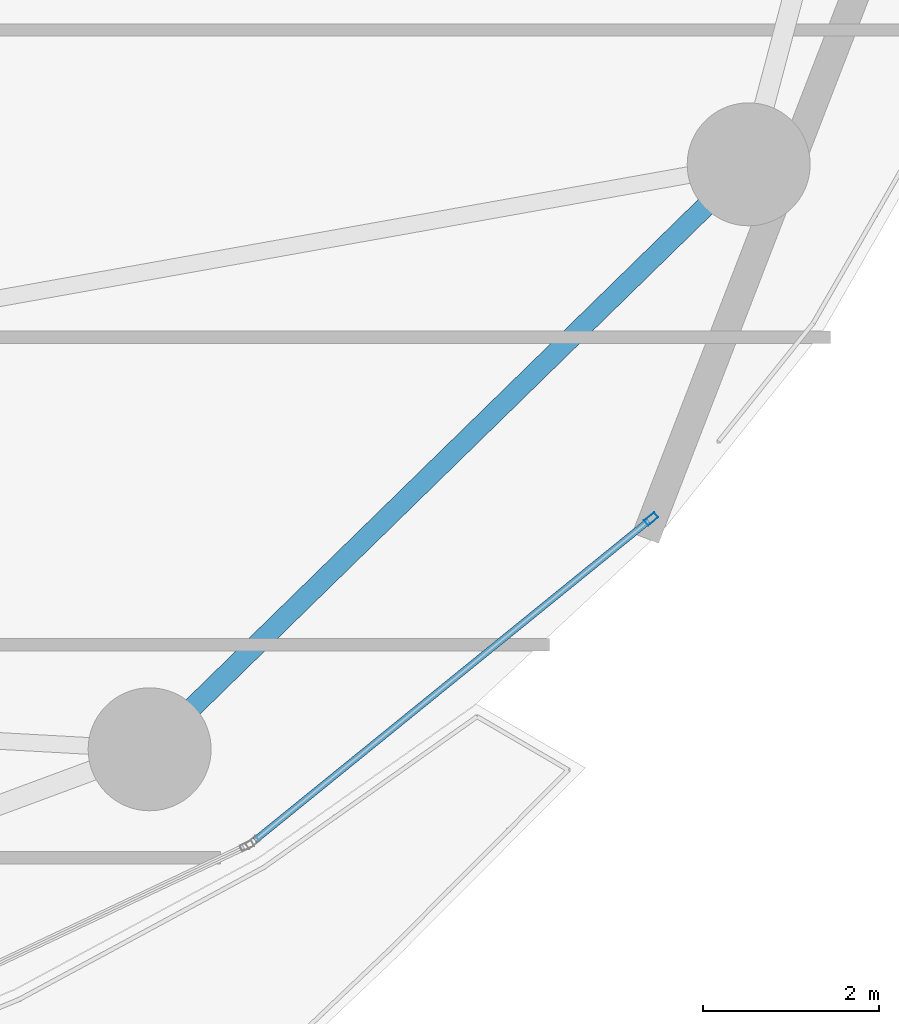
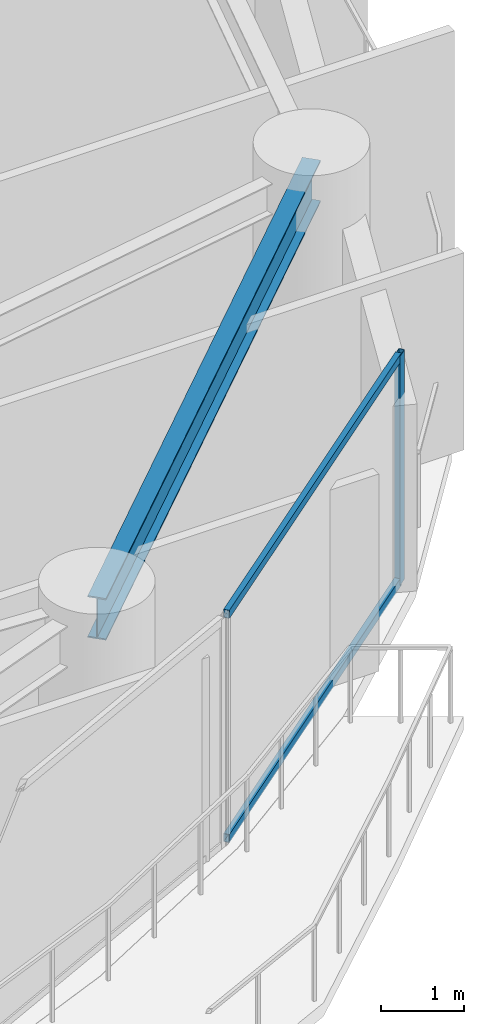
# One storey, part 15 of 31: 3 members, 1 beam, 1 element without a shape of its own.
"""IFC4 building model written with IfcOpenShell, lengths in metres."""

import ifcopenshell
import ifcopenshell.guid

model = None  # the IFC model being written
_history = None  # IfcOwnerHistory: only IFC2X3 demands one
_inside = {}  # id of a spatial element -> (the spatial element, [elements in it])
_under = {}  # id of a project, library or spatial element -> (it, [spatial elements below it])
_declared = {}  # id of a project -> (the project, [libraries it declares])
_typed = {}  # id of a type object -> (the type object, [elements of that type])
_made_of = {}  # id of a material, layer set ... -> (it, [elements and type objects made of it])


def new_model(schema):
    """Start an empty IFC model of exactly this schema.

    Asked for "IFC4X3", IfcOpenShell would pick the latest addendum, in which some entities
    have other attributes; the version numbers below select the first issue.
    IFC2X3 requires an IfcOwnerHistory on every rooted entity: one is made here for all.
    """
    global model, _history
    if schema == "IFC4X3":
        model = ifcopenshell.file(schema_version=(4, 3, 0, 0))
    else:
        model = ifcopenshell.file(schema=schema)
    _inside.clear()
    _under.clear()
    _declared.clear()
    _typed.clear()
    _made_of.clear()
    _history = None
    if model.schema == "IFC2X3":
        org = make("IfcOrganization", Name="unknown")
        user = make(
            "IfcPersonAndOrganization",
            ThePerson=make("IfcPerson", FamilyName="unknown"),
            TheOrganization=org,
        )
        app = make(
            "IfcApplication",
            ApplicationDeveloper=org,
            Version="unknown",
            ApplicationFullName="unknown",
            ApplicationIdentifier="unknown",
        )
        _history = make(
            "IfcOwnerHistory",
            OwningUser=user,
            OwningApplication=app,
            ChangeAction="ADDED",
            CreationDate=0,
        )
    return model


def make(cls, **values):
    """One entity of the class cls with the attributes given. An attribute that is None is left unset."""
    return model.create_entity(
        cls, **{name: value for name, value in values.items() if value is not None}
    )


def rooted(cls, **values):
    """An entity with a GlobalId (a new one), such as an element, a storey or a relation."""
    return make(cls, GlobalId=ifcopenshell.guid.new(), OwnerHistory=_history, **values)


def si_unit(unit_type, name, prefix=None):
    """IfcSIUnit, for example si_unit("LENGTHUNIT", "METRE", prefix="MILLI")."""
    return make("IfcSIUnit", UnitType=unit_type, Prefix=prefix, Name=name)


def assignment(units):
    """IfcUnitAssignment: the units of a project."""
    return None if units is None else make("IfcUnitAssignment", Units=units)


def point(xyz):
    """IfcCartesianPoint."""
    return None if xyz is None else make("IfcCartesianPoint", Coordinates=xyz)


def direction(xyz):
    """IfcDirection."""
    return None if xyz is None else make("IfcDirection", DirectionRatios=xyz)


def frame(location, z_axis=None, x_axis=None):
    """IfcAxis2Placement3D, a coordinate frame: its origin and axes. An axis left out is left unset."""
    return make(
        "IfcAxis2Placement3D",
        Location=point(location),
        Axis=direction(z_axis),
        RefDirection=direction(x_axis),
    )


def frame_2d(location, x_axis=None):
    """IfcAxis2Placement2D, a coordinate frame in the plane: its origin and x axis."""
    return make(
        "IfcAxis2Placement2D", Location=point(location), RefDirection=direction(x_axis)
    )


def origin():
    """The frame at (0, 0, 0) with its axes left unset."""
    return frame((0.0, 0.0, 0.0))


def origin_2d():
    """The frame at (0, 0) in the plane with its x axis left unset."""
    return frame_2d((0.0, 0.0))


def place(relative_to, where):
    """IfcLocalPlacement: puts the frame where relative to a parent placement (None: the world)."""
    return make(
        "IfcLocalPlacement", PlacementRelTo=relative_to, RelativePlacement=where
    )


def context(
    kind, dimensions, precision=None, world=None, true_north=None, identifier=None
):
    """IfcGeometricRepresentationContext, for example the 3D "Model" context."""
    return make(
        "IfcGeometricRepresentationContext",
        ContextIdentifier=identifier,
        ContextType=kind,
        CoordinateSpaceDimension=dimensions,
        Precision=precision,
        WorldCoordinateSystem=world,
        TrueNorth=true_north,
    )


def subcontext(parent, identifier, kind, view, scale=None):
    """IfcGeometricRepresentationSubContext, for example "Body" below "Model"."""
    return make(
        "IfcGeometricRepresentationSubContext",
        ContextIdentifier=identifier,
        ContextType=kind,
        ParentContext=parent,
        TargetScale=scale,
        TargetView=view,
    )


def project(units=None, contexts=None):
    """IfcProject with its units and contexts."""
    return rooted(
        "IfcProject",
        Name="project",
        RepresentationContexts=contexts,
        UnitsInContext=assignment(units),
    )


def spatial(cls, under=None, at=None, **own):
    """A site, building, storey or space (cls), placed at a placement, below another one or the project."""
    s = rooted(cls, ObjectPlacement=at, **own)
    if under is not None:
        _under.setdefault(under.id(), (under, []))[1].append(s)
    return s


def profile(cls, at=None, kind="AREA", **sizes):
    """A parametric profile (cls). Its sizes go by their IFC names, for example OverallWidth=200.0."""
    return make(cls, ProfileType=kind, Position=at, **sizes)


def hollow_rectangle(**sizes):
    """IfcRectangleHollowProfileDef."""
    return profile("IfcRectangleHollowProfileDef", **sizes)


def i_section(**sizes):
    """IfcIShapeProfileDef."""
    return profile("IfcIShapeProfileDef", **sizes)


def extrude(swept, where, along, depth):
    """IfcExtrudedAreaSolid: the profile swept, set in the frame where, extruded along a direction by depth."""
    return make(
        "IfcExtrudedAreaSolid",
        SweptArea=swept,
        Position=where,
        ExtrudedDirection=direction(along),
        Depth=depth,
    )


def shape(context_of_items, identifier, shape_type, items):
    """IfcShapeRepresentation: the items that make up one representation, for example the "Body"."""
    return make(
        "IfcShapeRepresentation",
        ContextOfItems=context_of_items,
        RepresentationIdentifier=identifier,
        RepresentationType=shape_type,
        Items=items,
    )


def material(Name=None, Category=None):
    """IfcMaterial."""
    return make("IfcMaterial", Name=Name, Category=Category)


def layer(
    of_material, thickness, ventilated=None, Name=None, Category=None, Priority=None
):
    """IfcMaterialLayer: one layer of a wall or slab, of a material (None: an air gap)."""
    return make(
        "IfcMaterialLayer",
        Material=of_material,
        LayerThickness=thickness,
        IsVentilated=ventilated,
        Name=Name,
        Category=Category,
        Priority=Priority,
    )


def layer_set(layers, Name=None):
    """IfcMaterialLayerSet."""
    return make("IfcMaterialLayerSet", MaterialLayers=layers, LayerSetName=Name)


def material_profile(
    of_material, cross_section, Name=None, Category=None, Priority=None
):
    """IfcMaterialProfile: a cross section and its material."""
    return make(
        "IfcMaterialProfile",
        Name=Name,
        Material=of_material,
        Profile=cross_section,
        Priority=Priority,
        Category=Category,
    )


def profile_set(profiles, Name=None, composite=None):
    """IfcMaterialProfileSet."""
    return make(
        "IfcMaterialProfileSet",
        Name=Name,
        MaterialProfiles=profiles,
        CompositeProfile=composite,
    )


def made_of(thing, what):
    """Note that an element or type object is made of a material, layer set ...; save() writes the relation."""
    if what is not None:
        _made_of.setdefault(what.id(), (what, []))[1].append(thing)
    return thing


def type_object(cls, material=None, **own):
    """A type object (cls), such as IfcWallType, which elements share."""
    return made_of(rooted(cls, **own), material)


def element(
    cls,
    number,
    at=None,
    inside=None,
    cuts=None,
    type_object=None,
    material=None,
    context=None,
    identifier="Body",
    shape_type=None,
    held_by="IfcProductDefinitionShape",
    body=None,
    shapes=None,
    **own,
):
    """One element of the class cls, such as IfcWall. Its Tag is "e" and its number.

    at: its placement. inside: the storey or other place that contains it. cuts: it is an
    opening in that element (IfcRelVoidsElement). A single representation is given by context,
    identifier, shape_type and body (its items); several are given by shapes. held_by: the class
    of the entity that holds the representations. save() writes the other relations.
    """
    e = rooted(cls, Tag="e%d" % number, ObjectPlacement=at, **own)
    if body is not None:
        shapes = [shape(context, identifier, shape_type, body)]
    if shapes is not None:
        e.Representation = make(held_by, Representations=shapes)
    if inside is not None:
        _inside.setdefault(inside.id(), (inside, []))[1].append(e)
    if cuts is not None:
        rooted(
            "IfcRelVoidsElement", RelatingBuildingElement=cuts, RelatedOpeningElement=e
        )
    if type_object is not None:
        _typed.setdefault(type_object.id(), (type_object, []))[1].append(e)
    return made_of(e, material)


def aggregate(whole, parts):
    """IfcRelAggregates: a whole, such as a stair, and the parts it consists of."""
    return rooted("IfcRelAggregates", RelatingObject=whole, RelatedObjects=parts)


def save(model, path):
    """Write the relations noted so far, then the file.

    IfcRelAggregates (storeys below a building ...), IfcRelContainedInSpatialStructure (elements
    in a storey), IfcRelDefinesByType, IfcRelAssociatesMaterial and IfcRelDeclares: one each for
    every whole, place, type object, material and project.
    """
    for whole, parts in _under.values():
        aggregate(whole, parts)
    for where, things in _inside.values():
        rooted(
            "IfcRelContainedInSpatialStructure",
            RelatedElements=things,
            RelatingStructure=where,
        )
    for kind, things in _typed.values():
        rooted("IfcRelDefinesByType", RelatedObjects=things, RelatingType=kind)
    for what, things in _made_of.values():
        rooted("IfcRelAssociatesMaterial", RelatedObjects=things, RelatingMaterial=what)
    for by, libraries in _declared.values():
        rooted("IfcRelDeclares", RelatingContext=by, RelatedDefinitions=libraries)
    model.write(path)


model = new_model("IFC4")

# Units and contexts
model_context = context("Model", 3, precision=1e-05, world=origin(), true_north=direction((0.0, 1.0)))
body_context = subcontext(model_context, "Body", "Model", "MODEL_VIEW")
ifc_project = project(units=[si_unit("LENGTHUNIT", "METRE"), si_unit("AREAUNIT", "SQUARE_METRE"), si_unit("VOLUMEUNIT", "CUBIC_METRE"), si_unit("PLANEANGLEUNIT", "RADIAN"), si_unit("MASSUNIT", "GRAM", prefix="KILO")], contexts=[model_context])

# Site, building, storey
site_placement = place(None, origin())
site = spatial("IfcSite", under=ifc_project, at=site_placement, CompositionType="ELEMENT")
building_placement = place(site_placement, origin())
building = spatial("IfcBuilding", under=site, at=building_placement, Name="Kazevale Care Tower and Concert Hall", CompositionType="ELEMENT")
storey_placement = place(building_placement, frame((0.0, 0.0, 81.60009765625)))
storey = spatial("IfcBuildingStorey", under=building, at=storey_placement, Name="L21", CompositionType="ELEMENT", Elevation=81.60009765625)

# Curtain wall, members
ifc_material_1 = material(Name="Aluminium 6063-T6 and Low-E Glass", Category="aluminium")
ifc_layer = layer(ifc_material_1, 0.179931640625)
ifc_layer_set = layer_set([ifc_layer], Name="Aluminium 6063-T6 and Low-E Glass")
curtain_wall_type = type_object("IfcCurtainWallType", Name="Sheltered Concave Balcony Curtain Wall CW-5", PredefinedType="NOTDEFINED", material=ifc_layer_set)
curtain_wall_placement = place(storey_placement, origin())
curtain_wall = element("IfcCurtainWall", 1, at=curtain_wall_placement, inside=storey, type_object=curtain_wall_type, Name="cw:L21:f02", PredefinedType="NOTDEFINED")
ifc_material_2 = material(Name="Aluminium 6063-T6", Category="aluminium")
ifc_material_profile_1 = material_profile(ifc_material_2, hollow_rectangle(XDim=0.074951171875, YDim=0.14990234375, WallThickness=0.00390625, at=origin_2d()), Name="ALU75x150x4")
ifc_profile_set_1 = profile_set([ifc_material_profile_1], Name="Aluminium 6063-T6")
member_type_1 = type_object("IfcMemberType", Name="CW-5 Mullion ALU75x150x4", PredefinedType="MULLION", material=ifc_profile_set_1)
member_1_placement = place(storey_placement, frame((72.949951171875, 24.933349609375, 0.0), z_axis=(0.0, 0.0, 1.0), x_axis=(0.629994732952, -0.77659940539, 0.0)))
member_1 = element("IfcMember", 2, at=member_1_placement, type_object=member_type_1, Name="CW-5 mullion 1", PredefinedType="MULLION", context=body_context, shape_type="SweptSolid", body=[
    extrude(hollow_rectangle(XDim=0.074951171875, YDim=0.14990234375, WallThickness=0.00390625, at=origin_2d()), origin(), (0.0, 0.0, 1.0), 3.35986328125),
])
ifc_material_profile_2 = material_profile(ifc_material_2, hollow_rectangle(XDim=0.074951171875, YDim=0.1201171875, WallThickness=0.00390625, at=origin_2d()), Name="ALU75x120x4")
ifc_profile_set_2 = profile_set([ifc_material_profile_2], Name="Aluminium 6063-T6")
member_type_2 = type_object("IfcMemberType", Name="CW-5 Transom ALU75x120x4", PredefinedType="USERDEFINED", material=ifc_profile_set_2)
member_2_placement = place(storey_placement, frame((72.920654296875, 24.90966796875, 0.037353515625), z_axis=(-0.77659518273, -0.629999938223, 0.0), x_axis=(0.629999938223, -0.77659518273, 0.0)))
member_2 = element("IfcMember", 3, at=member_2_placement, type_object=member_type_2, Name="CW-5 transom 1.1", ObjectType="TRANSOM", PredefinedType="USERDEFINED", context=body_context, shape_type="SweptSolid", body=[
    extrude(hollow_rectangle(XDim=0.074951171875, YDim=0.1201171875, WallThickness=0.00390625, at=origin_2d()), origin(), (0.0, 0.0, 1.0), 5.770751953125),
])
member_3_placement = place(storey_placement, frame((72.920654296875, 24.90966796875, 3.322509765625), z_axis=(-0.77659518273, -0.629999938223, 0.0), x_axis=(0.629999938223, -0.77659518273, 0.0)))
member_3 = element("IfcMember", 4, at=member_3_placement, type_object=member_type_2, Name="CW-5 transom 1.2", ObjectType="TRANSOM", PredefinedType="USERDEFINED", context=body_context, shape_type="SweptSolid", body=[
    extrude(hollow_rectangle(XDim=0.074951171875, YDim=0.1201171875, WallThickness=0.00390625, at=origin_2d()), origin(), (0.0, 0.0, 1.0), 5.770751953125),
])
aggregate(curtain_wall, [member_1, member_2, member_3])

# Beam
ifc_material_3 = material(Name="Steel ASTM A572 Gr 50", Category="steel")
ifc_material_profile_3 = material_profile(ifc_material_3, i_section(OverallWidth=0.22900390625, OverallDepth=0.612060546875, WebThickness=0.011962890625, FlangeThickness=0.01953125, at=origin_2d()), Name="W610x125")
ifc_profile_set_3 = profile_set([ifc_material_profile_3], Name="Steel ASTM A572 Gr 50")
beam_type = type_object("IfcBeamType", Name="Ring Spandrel Beam W610x125", PredefinedType="SPANDREL", material=ifc_profile_set_3)
beam_placement = place(storey_placement, frame((67.239990234375, 22.31005859375, 3.053955078125), z_axis=(0.715457453508, 0.698656304788, 0.0), x_axis=(-0.698656304788, 0.715457453508, 0.0)))
element("IfcBeam", 5, at=beam_placement, inside=storey, type_object=beam_type, Name="beam:L21:ring:15", PredefinedType="SPANDREL", context=body_context, shape_type="SweptSolid", body=[
    extrude(i_section(OverallWidth=0.22900390625, OverallDepth=0.612060546875, WebThickness=0.011962890625, FlangeThickness=0.01953125, at=origin_2d()), origin(), (0.0, 0.0, 1.0), 9.532470703125),
])

save(model, "model.ifc")
